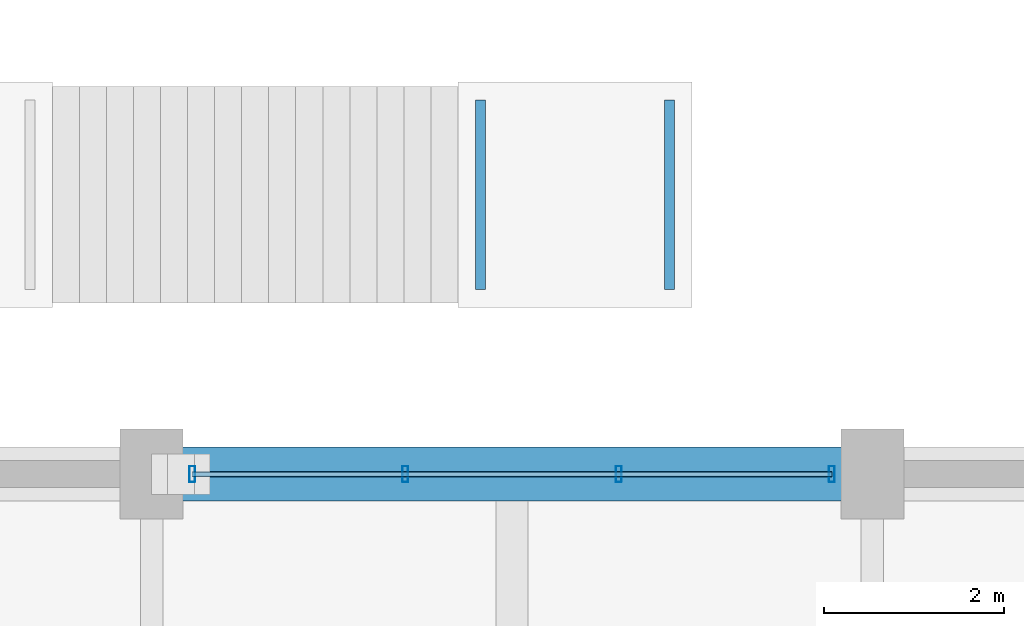
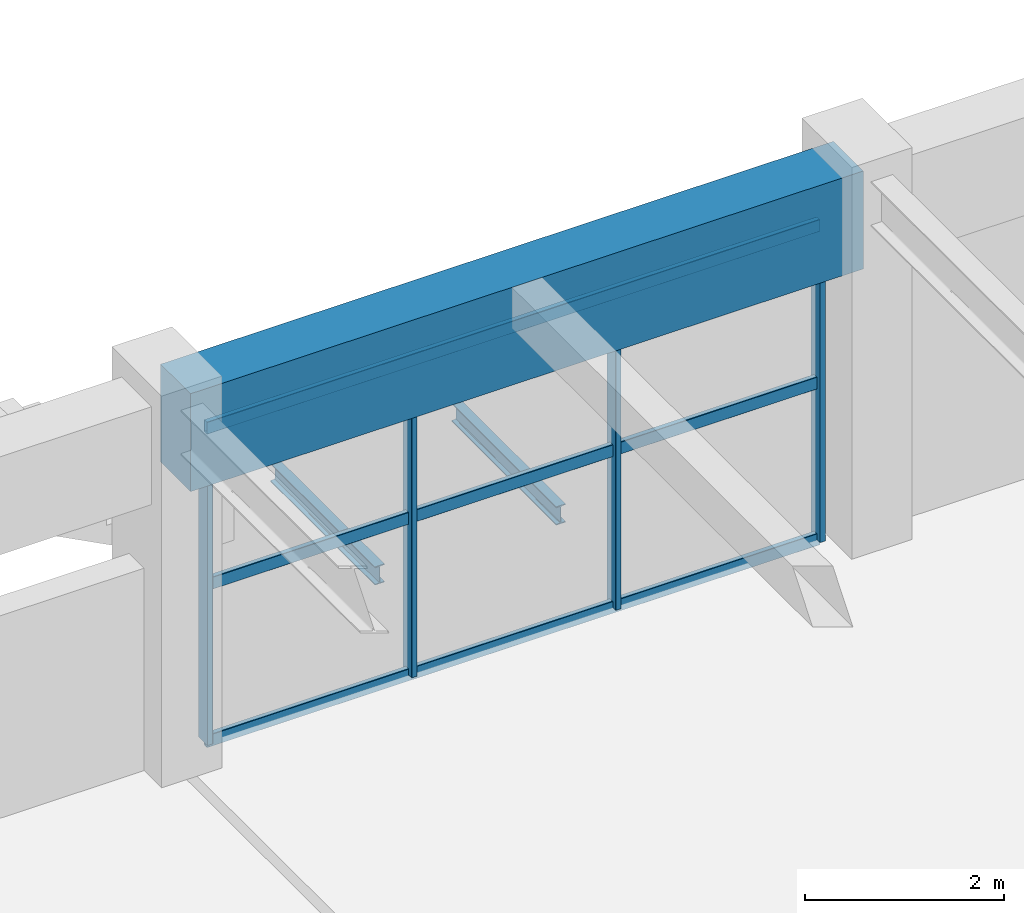
# One storey, part 29 of 144: 7 members, 3 beams, 1 element without a shape of its own.
"""IFC4 building model written with IfcOpenShell, lengths in metres."""

from ifc_helpers import new_model, si_unit, direction, frame, origin, origin_2d, place, context, subcontext, project, spatial, rectangle, hollow_rectangle, i_section, extrude, material, material_profile, profile_set, type_object, element, aggregate, save


model = new_model("IFC4")

# Units and contexts
model_context = context("Model", 3, precision=1e-05, world=origin(), true_north=direction((0.0, 1.0)))
body_context = subcontext(model_context, "Body", "Model", "MODEL_VIEW")
ifc_project = project(units=[si_unit("LENGTHUNIT", "METRE"), si_unit("AREAUNIT", "SQUARE_METRE"), si_unit("VOLUMEUNIT", "CUBIC_METRE"), si_unit("PLANEANGLEUNIT", "RADIAN"), si_unit("MASSUNIT", "GRAM", prefix="KILO")], contexts=[model_context])

# Site, building, storey
site_placement = place(None, origin())
site = spatial("IfcSite", under=ifc_project, at=site_placement, CompositionType="ELEMENT")
building_placement = place(site_placement, origin())
building = spatial("IfcBuilding", under=site, at=building_placement, Name="Varnabhumi Central Station", CompositionType="ELEMENT")
storey_placement = place(building_placement, frame((0.0, 0.0, 4.800048828125)))
storey = spatial("IfcBuildingStorey", under=building, at=storey_placement, Name="L01", CompositionType="ELEMENT", Elevation=4.800048828125)

# Beams
ifc_material_1 = material(Name="Concrete M50", Category="concrete")
ifc_material_profile_1 = material_profile(ifc_material_1, rectangle(XDim=0.60009765625, YDim=1.199951171875, at=origin_2d()), Name="Concrete M50", Category="concrete")
ifc_profile_set_1 = profile_set([ifc_material_profile_1], Name="Concrete M50")
beam_type_1 = type_object("IfcBeamType", Name="BM-RC-1200x600", PredefinedType="BEAM", material=ifc_profile_set_1)
beam_placement = place(storey_placement, frame((120.10009765625, 36.0, 3.949951171875), z_axis=(1.0, 0.0, 0.0), x_axis=(0.0, 1.0, 0.0)))
element("IfcBeam", 1, at=beam_placement, inside=storey, type_object=beam_type_1, Name="Beam L01-E:16-17", PredefinedType="BEAM", context=body_context, shape_type="SweptSolid", body=[
    extrude(rectangle(XDim=0.60009765625, YDim=1.199951171875, at=origin_2d()), origin(), (0.0, 0.0, 1.0), 7.7998046875),
])
ifc_material_2 = material(Name="Structural steel E350", Category="steel")
ifc_material_profile_2 = material_profile(ifc_material_2, i_section(OverallWidth=0.110107421875, OverallDepth=0.22509765625, WebThickness=0.006591796875, FlangeThickness=0.01171875, FilletRadius=0.011962890625, at=origin_2d()), Name="Structural steel E350", Category="steel")
ifc_profile_set_2 = profile_set([ifc_material_profile_2], Name="Structural steel E350")
beam_type_2 = type_object("IfcBeamType", Name="BM-STL-ISMB225", PredefinedType="JOIST", material=ifc_profile_set_2)
for number, where, z_axis, x_axis, name in (
    (2, (123.64990234375, 38.050048828125, -0.33251953125), (0.0, 1.0, 0.0), (-1.0, 0.0, 0.0), "Stair Landing Beam P1-p1_l1xfer-1"),
    (3, (125.75, 38.050048828125, -0.33251953125), (0.0, 1.0, 0.0), (-1.0, 0.0, 0.0), "Stair Landing Beam P1-p1_l1xfer-2"),
):
    element("IfcBeam", number, at=place(storey_placement, frame(where, z_axis=z_axis, x_axis=x_axis)), inside=storey, type_object=beam_type_2, Name=name, PredefinedType="JOIST", context=body_context, shape_type="SweptSolid", body=[
        extrude(i_section(OverallWidth=0.110107421875, OverallDepth=0.22509765625, WebThickness=0.006591796875, FlangeThickness=0.01171875, FilletRadius=0.011962890625, at=origin_2d()), origin(), (0.0, 0.0, 1.0), 2.099853515625),
    ])

# Curtain wall, members
ifc_material_3 = material(Name="Anodised aluminium 6063-T6", Category="aluminium")
curtain_wall_type = type_object("IfcCurtainWallType", Name="CW-SPINE-SCREEN-L0", PredefinedType="NOTDEFINED", material=ifc_material_3)
curtain_wall_placement = place(storey_placement, origin())
curtain_wall = element("IfcCurtainWall", 4, at=curtain_wall_placement, inside=storey, type_object=curtain_wall_type, Name="Curtain Wall CW-SS115", PredefinedType="NOTDEFINED")
ifc_material_profile_3 = material_profile(ifc_material_3, hollow_rectangle(XDim=0.06494140625, YDim=0.179931640625, WallThickness=0.00390625, InnerFilletRadius=0.001953125, OuterFilletRadius=0.006103515625, at=origin_2d()), Name="Anodised aluminium 6063-T6", Category="aluminium")
ifc_profile_set_3 = profile_set([ifc_material_profile_3], Name="Anodised aluminium 6063-T6")
member_type_1 = type_object("IfcMemberType", Name="CW-MUL-180", PredefinedType="MULLION", material=ifc_profile_set_3)
member_1_placement = place(storey_placement, frame((120.449951171875, 36.0, 0.0), z_axis=(0.0, 0.0, 1.0), x_axis=(1.0, 0.0, 0.0)))
member_1 = element("IfcMember", 5, at=member_1_placement, type_object=member_type_1, Name="Curtain Wall Mullion CW-SS115-M1", PredefinedType="MULLION", context=body_context, shape_type="SweptSolid", body=[
    extrude(hollow_rectangle(XDim=0.06494140625, YDim=0.179931640625, WallThickness=0.00390625, InnerFilletRadius=0.001953125, OuterFilletRadius=0.006103515625, at=origin_2d()), origin(), (0.0, 0.0, 1.0), 3.83984375),
])
member_2_placement = place(storey_placement, frame((122.816650390625, 36.0, 0.0), z_axis=(0.0, 0.0, 1.0), x_axis=(1.0, 0.0, 0.0)))
member_2 = element("IfcMember", 6, at=member_2_placement, type_object=member_type_1, Name="Curtain Wall Mullion CW-SS115-M2", PredefinedType="MULLION", context=body_context, shape_type="SweptSolid", body=[
    extrude(hollow_rectangle(XDim=0.06494140625, YDim=0.179931640625, WallThickness=0.00390625, InnerFilletRadius=0.001953125, OuterFilletRadius=0.006103515625, at=origin_2d()), origin(), (0.0, 0.0, 1.0), 3.83984375),
])
member_3_placement = place(storey_placement, frame((125.183349609375, 36.0, 0.0), z_axis=(0.0, 0.0, 1.0), x_axis=(1.0, 0.0, 0.0)))
member_3 = element("IfcMember", 7, at=member_3_placement, type_object=member_type_1, Name="Curtain Wall Mullion CW-SS115-M3", PredefinedType="MULLION", context=body_context, shape_type="SweptSolid", body=[
    extrude(hollow_rectangle(XDim=0.06494140625, YDim=0.179931640625, WallThickness=0.00390625, InnerFilletRadius=0.001953125, OuterFilletRadius=0.006103515625, at=origin_2d()), origin(), (0.0, 0.0, 1.0), 3.83984375),
])
member_4_placement = place(storey_placement, frame((127.550048828125, 36.0, 0.0), z_axis=(0.0, 0.0, 1.0), x_axis=(1.0, 0.0, 0.0)))
member_4 = element("IfcMember", 8, at=member_4_placement, type_object=member_type_1, Name="Curtain Wall Mullion CW-SS115-M4", PredefinedType="MULLION", context=body_context, shape_type="SweptSolid", body=[
    extrude(hollow_rectangle(XDim=0.06494140625, YDim=0.179931640625, WallThickness=0.00390625, InnerFilletRadius=0.001953125, OuterFilletRadius=0.006103515625, at=origin_2d()), origin(), (0.0, 0.0, 1.0), 3.83984375),
])
ifc_material_profile_4 = material_profile(ifc_material_3, hollow_rectangle(XDim=0.06005859375, YDim=0.14990234375, WallThickness=0.00390625, InnerFilletRadius=0.001953125, OuterFilletRadius=0.006103515625, at=origin_2d()), Name="Anodised aluminium 6063-T6", Category="aluminium")
ifc_profile_set_4 = profile_set([ifc_material_profile_4], Name="Anodised aluminium 6063-T6")
member_type_2 = type_object("IfcMemberType", Name="CW-TR-150", PredefinedType="USERDEFINED", material=ifc_profile_set_4)
member_5_placement = place(storey_placement, frame((120.449951171875, 36.0, 0.0), z_axis=(1.0, 0.0, 0.0), x_axis=(0.0, 1.0, 0.0)))
member_5 = element("IfcMember", 9, at=member_5_placement, type_object=member_type_2, Name="Curtain Wall Transom CW-SS115-T1", ObjectType="TRANSOM", PredefinedType="USERDEFINED", context=body_context, shape_type="SweptSolid", body=[
    extrude(hollow_rectangle(XDim=0.06005859375, YDim=0.14990234375, WallThickness=0.00390625, InnerFilletRadius=0.001953125, OuterFilletRadius=0.006103515625, at=origin_2d()), origin(), (0.0, 0.0, 1.0), 7.10009765625),
])
member_6_placement = place(storey_placement, frame((120.449951171875, 36.0, 1.919921875), z_axis=(1.0, 0.0, 0.0), x_axis=(0.0, 1.0, 0.0)))
member_6 = element("IfcMember", 10, at=member_6_placement, type_object=member_type_2, Name="Curtain Wall Transom CW-SS115-T2", ObjectType="TRANSOM", PredefinedType="USERDEFINED", context=body_context, shape_type="SweptSolid", body=[
    extrude(hollow_rectangle(XDim=0.06005859375, YDim=0.14990234375, WallThickness=0.00390625, InnerFilletRadius=0.001953125, OuterFilletRadius=0.006103515625, at=origin_2d()), origin(), (0.0, 0.0, 1.0), 7.10009765625),
])
member_7_placement = place(storey_placement, frame((120.449951171875, 36.0, 3.83984375), z_axis=(1.0, 0.0, 0.0), x_axis=(0.0, 1.0, 0.0)))
member_7 = element("IfcMember", 11, at=member_7_placement, type_object=member_type_2, Name="Curtain Wall Transom CW-SS115-T3", ObjectType="TRANSOM", PredefinedType="USERDEFINED", context=body_context, shape_type="SweptSolid", body=[
    extrude(hollow_rectangle(XDim=0.06005859375, YDim=0.14990234375, WallThickness=0.00390625, InnerFilletRadius=0.001953125, OuterFilletRadius=0.006103515625, at=origin_2d()), origin(), (0.0, 0.0, 1.0), 7.10009765625),
])
aggregate(curtain_wall, [member_1, member_2, member_3, member_4, member_5, member_6, member_7])

save(model, "model.ifc")
